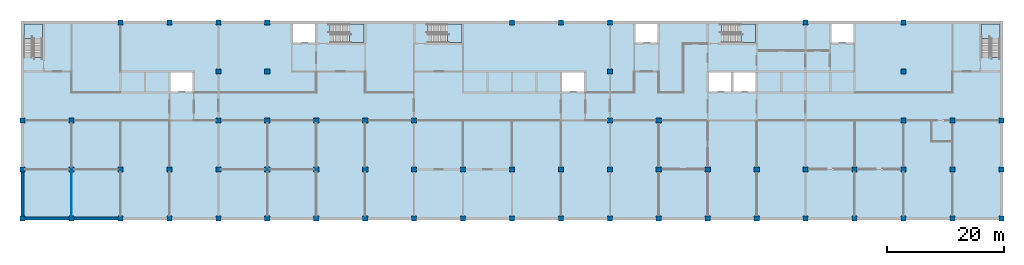
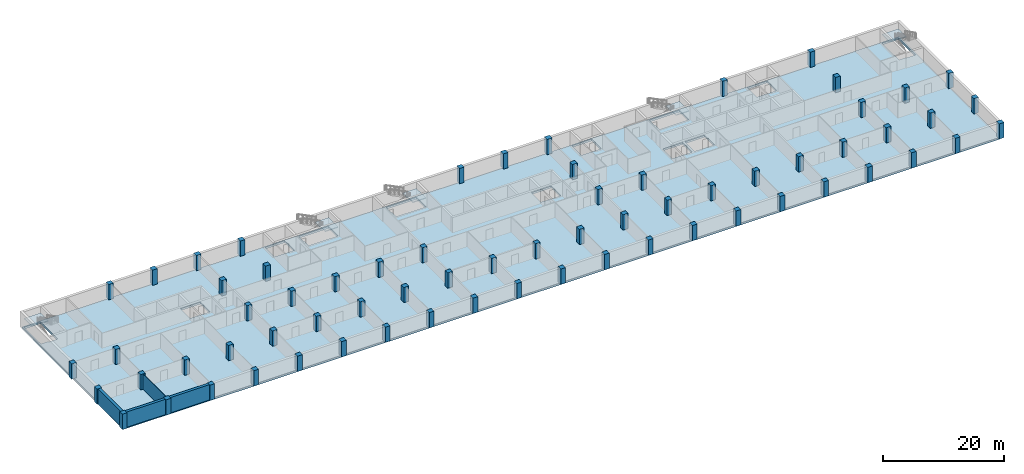
# One storey, part 1 of 12: 67 columns, 6 slabs, 4 walls, 5 elements without a shape of their own.
"""IFC4 building model written with IfcOpenShell, lengths in metres."""

import ifcopenshell
import ifcopenshell.guid

model = None  # the IFC model being written
_history = None  # IfcOwnerHistory: only IFC2X3 demands one
_inside = {}  # id of a spatial element -> (the spatial element, [elements in it])
_under = {}  # id of a project, library or spatial element -> (it, [spatial elements below it])
_declared = {}  # id of a project -> (the project, [libraries it declares])
_typed = {}  # id of a type object -> (the type object, [elements of that type])
_made_of = {}  # id of a material, layer set ... -> (it, [elements and type objects made of it])


def new_model(schema):
    """Start an empty IFC model of exactly this schema.

    Asked for "IFC4X3", IfcOpenShell would pick the latest addendum, in which some entities
    have other attributes; the version numbers below select the first issue.
    IFC2X3 requires an IfcOwnerHistory on every rooted entity: one is made here for all.
    """
    global model, _history
    if schema == "IFC4X3":
        model = ifcopenshell.file(schema_version=(4, 3, 0, 0))
    else:
        model = ifcopenshell.file(schema=schema)
    _inside.clear()
    _under.clear()
    _declared.clear()
    _typed.clear()
    _made_of.clear()
    _history = None
    if model.schema == "IFC2X3":
        org = make("IfcOrganization", Name="unknown")
        user = make(
            "IfcPersonAndOrganization",
            ThePerson=make("IfcPerson", FamilyName="unknown"),
            TheOrganization=org,
        )
        app = make(
            "IfcApplication",
            ApplicationDeveloper=org,
            Version="unknown",
            ApplicationFullName="unknown",
            ApplicationIdentifier="unknown",
        )
        _history = make(
            "IfcOwnerHistory",
            OwningUser=user,
            OwningApplication=app,
            ChangeAction="ADDED",
            CreationDate=0,
        )
    return model


def make(cls, **values):
    """One entity of the class cls with the attributes given. An attribute that is None is left unset."""
    return model.create_entity(
        cls, **{name: value for name, value in values.items() if value is not None}
    )


def rooted(cls, **values):
    """An entity with a GlobalId (a new one), such as an element, a storey or a relation."""
    return make(cls, GlobalId=ifcopenshell.guid.new(), OwnerHistory=_history, **values)


def si_unit(unit_type, name, prefix=None):
    """IfcSIUnit, for example si_unit("LENGTHUNIT", "METRE", prefix="MILLI")."""
    return make("IfcSIUnit", UnitType=unit_type, Prefix=prefix, Name=name)


def assignment(units):
    """IfcUnitAssignment: the units of a project."""
    return None if units is None else make("IfcUnitAssignment", Units=units)


def point(xyz):
    """IfcCartesianPoint."""
    return None if xyz is None else make("IfcCartesianPoint", Coordinates=xyz)


def direction(xyz):
    """IfcDirection."""
    return None if xyz is None else make("IfcDirection", DirectionRatios=xyz)


def frame(location, z_axis=None, x_axis=None):
    """IfcAxis2Placement3D, a coordinate frame: its origin and axes. An axis left out is left unset."""
    return make(
        "IfcAxis2Placement3D",
        Location=point(location),
        Axis=direction(z_axis),
        RefDirection=direction(x_axis),
    )


def frame_2d(location, x_axis=None):
    """IfcAxis2Placement2D, a coordinate frame in the plane: its origin and x axis."""
    return make(
        "IfcAxis2Placement2D", Location=point(location), RefDirection=direction(x_axis)
    )


def origin():
    """The frame at (0, 0, 0) with its axes left unset."""
    return frame((0.0, 0.0, 0.0))


def origin_2d():
    """The frame at (0, 0) in the plane with its x axis left unset."""
    return frame_2d((0.0, 0.0))


def place(relative_to, where):
    """IfcLocalPlacement: puts the frame where relative to a parent placement (None: the world)."""
    return make(
        "IfcLocalPlacement", PlacementRelTo=relative_to, RelativePlacement=where
    )


def context(
    kind, dimensions, precision=None, world=None, true_north=None, identifier=None
):
    """IfcGeometricRepresentationContext, for example the 3D "Model" context."""
    return make(
        "IfcGeometricRepresentationContext",
        ContextIdentifier=identifier,
        ContextType=kind,
        CoordinateSpaceDimension=dimensions,
        Precision=precision,
        WorldCoordinateSystem=world,
        TrueNorth=true_north,
    )


def subcontext(parent, identifier, kind, view, scale=None):
    """IfcGeometricRepresentationSubContext, for example "Body" below "Model"."""
    return make(
        "IfcGeometricRepresentationSubContext",
        ContextIdentifier=identifier,
        ContextType=kind,
        ParentContext=parent,
        TargetScale=scale,
        TargetView=view,
    )


def project(units=None, contexts=None):
    """IfcProject with its units and contexts."""
    return rooted(
        "IfcProject",
        Name="project",
        RepresentationContexts=contexts,
        UnitsInContext=assignment(units),
    )


def spatial(cls, under=None, at=None, **own):
    """A site, building, storey or space (cls), placed at a placement, below another one or the project."""
    s = rooted(cls, ObjectPlacement=at, **own)
    if under is not None:
        _under.setdefault(under.id(), (under, []))[1].append(s)
    return s


def polyline(points):
    """IfcPolyline through the points."""
    return make("IfcPolyline", Points=[point(p) for p in points])


def profile(cls, at=None, kind="AREA", **sizes):
    """A parametric profile (cls). Its sizes go by their IFC names, for example OverallWidth=200.0."""
    return make(cls, ProfileType=kind, Position=at, **sizes)


def rectangle(**sizes):
    """IfcRectangleProfileDef."""
    return profile("IfcRectangleProfileDef", **sizes)


def outline(outer, holes=None, kind="AREA"):
    """IfcArbitraryClosedProfileDef: a profile drawn as a closed curve; with holes, ...WithVoids."""
    if holes is None:
        return make("IfcArbitraryClosedProfileDef", ProfileType=kind, OuterCurve=outer)
    return make(
        "IfcArbitraryProfileDefWithVoids",
        ProfileType=kind,
        OuterCurve=outer,
        InnerCurves=holes,
    )


def extrude(swept, where, along, depth):
    """IfcExtrudedAreaSolid: the profile swept, set in the frame where, extruded along a direction by depth."""
    return make(
        "IfcExtrudedAreaSolid",
        SweptArea=swept,
        Position=where,
        ExtrudedDirection=direction(along),
        Depth=depth,
    )


def shape(context_of_items, identifier, shape_type, items):
    """IfcShapeRepresentation: the items that make up one representation, for example the "Body"."""
    return make(
        "IfcShapeRepresentation",
        ContextOfItems=context_of_items,
        RepresentationIdentifier=identifier,
        RepresentationType=shape_type,
        Items=items,
    )


def material(Name=None, Category=None):
    """IfcMaterial."""
    return make("IfcMaterial", Name=Name, Category=Category)


def layer(
    of_material, thickness, ventilated=None, Name=None, Category=None, Priority=None
):
    """IfcMaterialLayer: one layer of a wall or slab, of a material (None: an air gap)."""
    return make(
        "IfcMaterialLayer",
        Material=of_material,
        LayerThickness=thickness,
        IsVentilated=ventilated,
        Name=Name,
        Category=Category,
        Priority=Priority,
    )


def layer_set(layers, Name=None):
    """IfcMaterialLayerSet."""
    return make("IfcMaterialLayerSet", MaterialLayers=layers, LayerSetName=Name)


def material_profile(
    of_material, cross_section, Name=None, Category=None, Priority=None
):
    """IfcMaterialProfile: a cross section and its material."""
    return make(
        "IfcMaterialProfile",
        Name=Name,
        Material=of_material,
        Profile=cross_section,
        Priority=Priority,
        Category=Category,
    )


def profile_set(profiles, Name=None, composite=None):
    """IfcMaterialProfileSet."""
    return make(
        "IfcMaterialProfileSet",
        Name=Name,
        MaterialProfiles=profiles,
        CompositeProfile=composite,
    )


def made_of(thing, what):
    """Note that an element or type object is made of a material, layer set ...; save() writes the relation."""
    if what is not None:
        _made_of.setdefault(what.id(), (what, []))[1].append(thing)
    return thing


def type_object(cls, material=None, **own):
    """A type object (cls), such as IfcWallType, which elements share."""
    return made_of(rooted(cls, **own), material)


def element(
    cls,
    number,
    at=None,
    inside=None,
    cuts=None,
    type_object=None,
    material=None,
    context=None,
    identifier="Body",
    shape_type=None,
    held_by="IfcProductDefinitionShape",
    body=None,
    shapes=None,
    **own,
):
    """One element of the class cls, such as IfcWall. Its Tag is "e" and its number.

    at: its placement. inside: the storey or other place that contains it. cuts: it is an
    opening in that element (IfcRelVoidsElement). A single representation is given by context,
    identifier, shape_type and body (its items); several are given by shapes. held_by: the class
    of the entity that holds the representations. save() writes the other relations.
    """
    e = rooted(cls, Tag="e%d" % number, ObjectPlacement=at, **own)
    if body is not None:
        shapes = [shape(context, identifier, shape_type, body)]
    if shapes is not None:
        e.Representation = make(held_by, Representations=shapes)
    if inside is not None:
        _inside.setdefault(inside.id(), (inside, []))[1].append(e)
    if cuts is not None:
        rooted(
            "IfcRelVoidsElement", RelatingBuildingElement=cuts, RelatedOpeningElement=e
        )
    if type_object is not None:
        _typed.setdefault(type_object.id(), (type_object, []))[1].append(e)
    return made_of(e, material)


def aggregate(whole, parts):
    """IfcRelAggregates: a whole, such as a stair, and the parts it consists of."""
    return rooted("IfcRelAggregates", RelatingObject=whole, RelatedObjects=parts)


def save(model, path):
    """Write the relations noted so far, then the file.

    IfcRelAggregates (storeys below a building ...), IfcRelContainedInSpatialStructure (elements
    in a storey), IfcRelDefinesByType, IfcRelAssociatesMaterial and IfcRelDeclares: one each for
    every whole, place, type object, material and project.
    """
    for whole, parts in _under.values():
        aggregate(whole, parts)
    for where, things in _inside.values():
        rooted(
            "IfcRelContainedInSpatialStructure",
            RelatedElements=things,
            RelatingStructure=where,
        )
    for kind, things in _typed.values():
        rooted("IfcRelDefinesByType", RelatedObjects=things, RelatingType=kind)
    for what, things in _made_of.values():
        rooted("IfcRelAssociatesMaterial", RelatedObjects=things, RelatingMaterial=what)
    for by, libraries in _declared.values():
        rooted("IfcRelDeclares", RelatingContext=by, RelatedDefinitions=libraries)
    model.write(path)


model = new_model("IFC4")

# Units and contexts
model_context = context("Model", 3, precision=1e-05, world=origin(), true_north=direction((0.0, 1.0)))
body_context = subcontext(model_context, "Body", "Model", "MODEL_VIEW")
ifc_project = project(units=[si_unit("LENGTHUNIT", "METRE"), si_unit("AREAUNIT", "SQUARE_METRE"), si_unit("VOLUMEUNIT", "CUBIC_METRE"), si_unit("PLANEANGLEUNIT", "RADIAN"), si_unit("MASSUNIT", "GRAM", prefix="KILO")], contexts=[model_context])

# Site, building, storey
site_placement = place(None, origin())
site = spatial("IfcSite", under=ifc_project, at=site_placement, CompositionType="ELEMENT")
building_placement = place(site_placement, origin())
building = spatial("IfcBuilding", under=site, at=building_placement, Name="Yavir Park General Hospital", CompositionType="ELEMENT")
storey_placement = place(building_placement, frame((0.0, 0.0, -7.800048828125)))
storey = spatial("IfcBuildingStorey", under=building, at=storey_placement, Name="B2", CompositionType="ELEMENT", Elevation=-7.800048828125)

# Columns
ifc_material_1 = material(Name="Concrete C40/50", Category="concrete")
ifc_material_profile = material_profile(ifc_material_1, rectangle(XDim=0.89990234375, YDim=0.89990234375, at=origin_2d()), Name="RC900x900")
ifc_profile_set = profile_set([ifc_material_profile], Name="Concrete C40/50")
column_type = type_object("IfcColumnType", Name="RC COLUMN 900x900", PredefinedType="COLUMN", material=ifc_profile_set)
for number, where, z_axis, x_axis, name in (
    (1, (0.0, 0.0, 0.0), (0.0, 0.0, 1.0), (1.0, 0.0, 0.0), "C:B2:1A"),
    (2, (8.39990234375, 0.0, 0.0), (0.0, 0.0, 1.0), (1.0, 0.0, 0.0), "C:B2:2A"),
    (3, (16.800048828125, 0.0, 0.0), (0.0, 0.0, 1.0), (1.0, 0.0, 0.0), "C:B2:3A"),
    (4, (25.199951171875, 0.0, 0.0), (0.0, 0.0, 1.0), (1.0, 0.0, 0.0), "C:B2:4A"),
    (5, (33.60009765625, 0.0, 0.0), (0.0, 0.0, 1.0), (1.0, 0.0, 0.0), "C:B2:5A"),
    (6, (42.0, 0.0, 0.0), (0.0, 0.0, 1.0), (1.0, 0.0, 0.0), "C:B2:6A"),
    (7, (50.39990234375, 0.0, 0.0), (0.0, 0.0, 1.0), (1.0, 0.0, 0.0), "C:B2:7A"),
    (8, (58.800048828125, 0.0, 0.0), (0.0, 0.0, 1.0), (1.0, 0.0, 0.0), "C:B2:8A"),
    (9, (67.199951171875, 0.0, 0.0), (0.0, 0.0, 1.0), (1.0, 0.0, 0.0), "C:B2:9A"),
    (10, (75.60009765625, 0.0, 0.0), (0.0, 0.0, 1.0), (1.0, 0.0, 0.0), "C:B2:10A"),
    (11, (84.0, 0.0, 0.0), (0.0, 0.0, 1.0), (1.0, 0.0, 0.0), "C:B2:11A"),
    (12, (92.39990234375, 0.0, 0.0), (0.0, 0.0, 1.0), (1.0, 0.0, 0.0), "C:B2:12A"),
    (13, (100.800048828125, 0.0, 0.0), (0.0, 0.0, 1.0), (1.0, 0.0, 0.0), "C:B2:13A"),
    (14, (109.199951171875, 0.0, 0.0), (0.0, 0.0, 1.0), (1.0, 0.0, 0.0), "C:B2:14A"),
    (15, (117.60009765625, 0.0, 0.0), (0.0, 0.0, 1.0), (1.0, 0.0, 0.0), "C:B2:15A"),
    (16, (126.0, 0.0, 0.0), (0.0, 0.0, 1.0), (1.0, 0.0, 0.0), "C:B2:16A"),
    (17, (134.39990234375, 0.0, 0.0), (0.0, 0.0, 1.0), (1.0, 0.0, 0.0), "C:B2:17A"),
    (18, (142.800048828125, 0.0, 0.0), (0.0, 0.0, 1.0), (1.0, 0.0, 0.0), "C:B2:18A"),
    (19, (151.199951171875, 0.0, 0.0), (0.0, 0.0, 1.0), (1.0, 0.0, 0.0), "C:B2:19A"),
    (20, (159.60009765625, 0.0, 0.0), (0.0, 0.0, 1.0), (1.0, 0.0, 0.0), "C:B2:20A"),
    (21, (168.0, 0.0, 0.0), (0.0, 0.0, 1.0), (1.0, 0.0, 0.0), "C:B2:21A"),
    (22, (0.0, 8.39990234375, 0.0), (0.0, 0.0, 1.0), (1.0, 0.0, 0.0), "C:B2:1B"),
    (23, (8.39990234375, 8.39990234375, 0.0), (0.0, 0.0, 1.0), (1.0, 0.0, 0.0), "C:B2:2B"),
    (24, (16.800048828125, 8.39990234375, 0.0), (0.0, 0.0, 1.0), (1.0, 0.0, 0.0), "C:B2:3B"),
    (25, (25.199951171875, 8.39990234375, 0.0), (0.0, 0.0, 1.0), (1.0, 0.0, 0.0), "C:B2:4B"),
    (26, (33.60009765625, 8.39990234375, 0.0), (0.0, 0.0, 1.0), (1.0, 0.0, 0.0), "C:B2:5B"),
    (27, (42.0, 8.39990234375, 0.0), (0.0, 0.0, 1.0), (1.0, 0.0, 0.0), "C:B2:6B"),
    (28, (50.39990234375, 8.39990234375, 0.0), (0.0, 0.0, 1.0), (1.0, 0.0, 0.0), "C:B2:7B"),
    (29, (58.800048828125, 8.39990234375, 0.0), (0.0, 0.0, 1.0), (1.0, 0.0, 0.0), "C:B2:8B"),
    (30, (67.199951171875, 8.39990234375, 0.0), (0.0, 0.0, 1.0), (1.0, 0.0, 0.0), "C:B2:9B"),
    (31, (75.60009765625, 8.39990234375, 0.0), (0.0, 0.0, 1.0), (1.0, 0.0, 0.0), "C:B2:10B"),
    (32, (84.0, 8.39990234375, 0.0), (0.0, 0.0, 1.0), (1.0, 0.0, 0.0), "C:B2:11B"),
    (33, (92.39990234375, 8.39990234375, 0.0), (0.0, 0.0, 1.0), (1.0, 0.0, 0.0), "C:B2:12B"),
    (34, (100.800048828125, 8.39990234375, 0.0), (0.0, 0.0, 1.0), (1.0, 0.0, 0.0), "C:B2:13B"),
    (35, (109.199951171875, 8.39990234375, 0.0), (0.0, 0.0, 1.0), (1.0, 0.0, 0.0), "C:B2:14B"),
    (36, (117.60009765625, 8.39990234375, 0.0), (0.0, 0.0, 1.0), (1.0, 0.0, 0.0), "C:B2:15B"),
    (37, (126.0, 8.39990234375, 0.0), (0.0, 0.0, 1.0), (1.0, 0.0, 0.0), "C:B2:16B"),
    (38, (134.39990234375, 8.39990234375, 0.0), (0.0, 0.0, 1.0), (1.0, 0.0, 0.0), "C:B2:17B"),
    (39, (142.800048828125, 8.39990234375, 0.0), (0.0, 0.0, 1.0), (1.0, 0.0, 0.0), "C:B2:18B"),
    (40, (151.199951171875, 8.39990234375, 0.0), (0.0, 0.0, 1.0), (1.0, 0.0, 0.0), "C:B2:19B"),
    (41, (159.60009765625, 8.39990234375, 0.0), (0.0, 0.0, 1.0), (1.0, 0.0, 0.0), "C:B2:20B"),
    (42, (168.0, 8.39990234375, 0.0), (0.0, 0.0, 1.0), (1.0, 0.0, 0.0), "C:B2:21B"),
    (43, (0.0, 16.800048828125, 0.0), (0.0, 0.0, 1.0), (1.0, 0.0, 0.0), "C:B2:1C"),
    (44, (8.39990234375, 16.800048828125, 0.0), (0.0, 0.0, 1.0), (1.0, 0.0, 0.0), "C:B2:2C"),
    (45, (33.60009765625, 16.800048828125, 0.0), (0.0, 0.0, 1.0), (1.0, 0.0, 0.0), "C:B2:5C"),
    (46, (42.0, 16.800048828125, 0.0), (0.0, 0.0, 1.0), (1.0, 0.0, 0.0), "C:B2:6C"),
    (47, (50.39990234375, 16.800048828125, 0.0), (0.0, 0.0, 1.0), (1.0, 0.0, 0.0), "C:B2:7C"),
    (48, (58.800048828125, 16.800048828125, 0.0), (0.0, 0.0, 1.0), (1.0, 0.0, 0.0), "C:B2:8C"),
    (49, (67.199951171875, 16.800048828125, 0.0), (0.0, 0.0, 1.0), (1.0, 0.0, 0.0), "C:B2:9C"),
    (50, (100.800048828125, 16.800048828125, 0.0), (0.0, 0.0, 1.0), (1.0, 0.0, 0.0), "C:B2:13C"),
    (51, (109.199951171875, 16.800048828125, 0.0), (0.0, 0.0, 1.0), (1.0, 0.0, 0.0), "C:B2:14C"),
    (52, (151.199951171875, 16.800048828125, 0.0), (0.0, 0.0, 1.0), (1.0, 0.0, 0.0), "C:B2:19C"),
    (53, (159.60009765625, 16.800048828125, 0.0), (0.0, 0.0, 1.0), (1.0, 0.0, 0.0), "C:B2:20C"),
    (54, (168.0, 16.800048828125, 0.0), (0.0, 0.0, 1.0), (1.0, 0.0, 0.0), "C:B2:21C"),
    (55, (33.60009765625, 25.199951171875, 0.0), (0.0, 0.0, 1.0), (1.0, 0.0, 0.0), "C:B2:5D"),
    (56, (42.0, 25.199951171875, 0.0), (0.0, 0.0, 1.0), (1.0, 0.0, 0.0), "C:B2:6D"),
    (57, (100.800048828125, 25.199951171875, 0.0), (0.0, 0.0, 1.0), (1.0, 0.0, 0.0), "C:B2:13D"),
    (58, (151.199951171875, 25.199951171875, 0.0), (0.0, 0.0, 1.0), (1.0, 0.0, 0.0), "C:B2:19D"),
    (59, (16.800048828125, 33.60009765625, 0.0), (0.0, 0.0, 1.0), (1.0, 0.0, 0.0), "C:B2:3E"),
    (60, (25.199951171875, 33.60009765625, 0.0), (0.0, 0.0, 1.0), (1.0, 0.0, 0.0), "C:B2:4E"),
    (61, (33.60009765625, 33.60009765625, 0.0), (0.0, 0.0, 1.0), (1.0, 0.0, 0.0), "C:B2:5E"),
    (62, (42.0, 33.60009765625, 0.0), (0.0, 0.0, 1.0), (1.0, 0.0, 0.0), "C:B2:6E"),
    (63, (84.0, 33.60009765625, 0.0), (0.0, 0.0, 1.0), (1.0, 0.0, 0.0), "C:B2:11E"),
    (64, (92.39990234375, 33.60009765625, 0.0), (0.0, 0.0, 1.0), (1.0, 0.0, 0.0), "C:B2:12E"),
    (65, (100.800048828125, 33.60009765625, 0.0), (0.0, 0.0, 1.0), (1.0, 0.0, 0.0), "C:B2:13E"),
    (66, (134.39990234375, 33.60009765625, 0.0), (0.0, 0.0, 1.0), (1.0, 0.0, 0.0), "C:B2:17E"),
    (67, (151.199951171875, 33.60009765625, 0.0), (0.0, 0.0, 1.0), (1.0, 0.0, 0.0), "C:B2:19E"),
):
    element("IfcColumn", number, at=place(storey_placement, frame(where, z_axis=z_axis, x_axis=x_axis)), inside=storey, type_object=column_type, Name=name, PredefinedType="COLUMN", context=body_context, shape_type="SweptSolid", body=[
        extrude(rectangle(XDim=0.89990234375, YDim=0.89990234375, at=origin_2d()), origin(), (0.0, 0.0, 1.0), 3.10009765625),
    ])

# Stair, slab
ifc_material_2 = material(Name="Concrete C30/37", Category="concrete")
stair_type = type_object("IfcStairType", Name="Patient escape stair, 24 risers of 150 mm, 1400 mm flights", PredefinedType="HALF_TURN_STAIR", material=ifc_material_2)
stair_1_placement = place(storey_placement, origin())
stair_1 = element("IfcStair", 68, at=stair_1_placement, inside=storey, type_object=stair_type, Name="Stair BS1, B2 to B1", PredefinedType="HALF_TURN_STAIR")
ifc_material_3 = material(Name="Concrete C30/37", Category="concrete")
ifc_layer_1 = layer(ifc_material_3, 0.159912109375)
ifc_layer_set_1 = layer_set([ifc_layer_1], Name="Concrete C30/37")
slab_type_1 = type_object("IfcSlabType", Name="Patient escape stair half landing, reinforced concrete 160 mm", PredefinedType="LANDING", material=ifc_layer_set_1)
slab_1_placement = place(storey_placement, frame((0.0, 0.0, 1.64013671875)))
slab_1 = element("IfcSlab", 69, at=slab_1_placement, type_object=slab_type_1, Name="BS1 landing 1", PredefinedType="LANDING", context=body_context, shape_type="SweptSolid", body=[
    extrude(outline(polyline([(0.25, 30.8984375), (0.25, 33.35009765625), (3.39990234375, 33.35009765625), (3.39990234375, 30.75), (1.949951171875, 30.75), (1.949951171875, 30.8984375), (0.25, 30.8984375)])), origin(), (0.0, 0.0, 1.0), 0.159912109375),
])
aggregate(stair_1, [slab_1])

stair_2_placement = place(storey_placement, origin())
stair_2 = element("IfcStair", 70, at=stair_2_placement, inside=storey, type_object=stair_type, Name="Stair BS2, B2 to B1", PredefinedType="HALF_TURN_STAIR")
slab_2_placement = place(storey_placement, frame((0.0, 0.0, 1.64013671875)))
slab_2 = element("IfcSlab", 71, at=slab_2_placement, type_object=slab_type_1, Name="BS2 landing 1", PredefinedType="LANDING", context=body_context, shape_type="SweptSolid", body=[
    extrude(outline(polyline([(56.098388671875, 30.199951171875), (58.60009765625, 30.199951171875), (58.60009765625, 33.35009765625), (55.949951171875, 33.35009765625), (55.949951171875, 31.89990234375), (56.098388671875, 31.89990234375), (56.098388671875, 30.199951171875)])), origin(), (0.0, 0.0, 1.0), 0.159912109375),
])
aggregate(stair_2, [slab_2])

stair_3_placement = place(storey_placement, origin())
stair_3 = element("IfcStair", 72, at=stair_3_placement, inside=storey, type_object=stair_type, Name="Stair BS3, B2 to B1", PredefinedType="HALF_TURN_STAIR")
slab_3_placement = place(storey_placement, frame((0.0, 0.0, 1.64013671875)))
slab_3 = element("IfcSlab", 73, at=slab_3_placement, type_object=slab_type_1, Name="BS3 landing 1", PredefinedType="LANDING", context=body_context, shape_type="SweptSolid", body=[
    extrude(outline(polyline([(72.8984375, 30.199951171875), (75.39990234375, 30.199951171875), (75.39990234375, 33.35009765625), (72.75, 33.35009765625), (72.75, 31.89990234375), (72.8984375, 31.89990234375), (72.8984375, 30.199951171875)])), origin(), (0.0, 0.0, 1.0), 0.159912109375),
])
aggregate(stair_3, [slab_3])

stair_4_placement = place(storey_placement, origin())
stair_4 = element("IfcStair", 74, at=stair_4_placement, inside=storey, type_object=stair_type, Name="Stair BS4, B2 to B1", PredefinedType="HALF_TURN_STAIR")
slab_4_placement = place(storey_placement, frame((0.0, 0.0, 1.64013671875)))
slab_4 = element("IfcSlab", 75, at=slab_4_placement, type_object=slab_type_1, Name="BS4 landing 1", PredefinedType="LANDING", context=body_context, shape_type="SweptSolid", body=[
    extrude(outline(polyline([(123.298583984375, 30.199951171875), (125.800048828125, 30.199951171875), (125.800048828125, 33.35009765625), (123.14990234375, 33.35009765625), (123.14990234375, 31.89990234375), (123.298583984375, 31.89990234375), (123.298583984375, 30.199951171875)])), origin(), (0.0, 0.0, 1.0), 0.159912109375),
])
aggregate(stair_4, [slab_4])

stair_5_placement = place(storey_placement, origin())
stair_5 = element("IfcStair", 76, at=stair_5_placement, inside=storey, type_object=stair_type, Name="Stair BS5, B2 to B1", PredefinedType="HALF_TURN_STAIR")
slab_5_placement = place(storey_placement, frame((0.0, 0.0, 1.64013671875)))
slab_5 = element("IfcSlab", 77, at=slab_5_placement, type_object=slab_type_1, Name="BS5 landing 1", PredefinedType="LANDING", context=body_context, shape_type="SweptSolid", body=[
    extrude(outline(polyline([(164.60009765625, 30.8984375), (164.60009765625, 33.35009765625), (167.75, 33.35009765625), (167.75, 30.75), (166.300048828125, 30.75), (166.300048828125, 30.8984375), (164.60009765625, 30.8984375)])), origin(), (0.0, 0.0, 1.0), 0.159912109375),
])
aggregate(stair_5, [slab_5])

# Slab
ifc_material_4 = material(Name="Concrete C35/45", Category="concrete")
ifc_layer_2 = layer(ifc_material_4, 0.39990234375)
ifc_layer_set_2 = layer_set([ifc_layer_2], Name="Concrete C35/45")
slab_type_2 = type_object("IfcSlabType", Name="RC SLAB FLOOR 400", PredefinedType="FLOOR", material=ifc_layer_set_2)
slab_6_placement = place(storey_placement, frame((0.0, 0.0, -0.400146484375)))
element("IfcSlab", 78, at=slab_6_placement, inside=storey, type_object=slab_type_2, Name="S:B2:0", PredefinedType="FLOOR", context=body_context, shape_type="SweptSolid", body=[
    extrude(outline(polyline([(168.0, 33.60009765625), (0.0, 33.60009765625), (0.0, 0.0), (168.0, 0.0), (168.0, 33.60009765625)]), holes=[polyline([(29.199951171875, 21.800048828125), (25.39990234375, 21.800048828125), (25.39990234375, 25.0), (29.199951171875, 25.0), (29.199951171875, 21.800048828125)]), polyline([(92.60009765625, 21.800048828125), (92.60009765625, 25.0), (96.39990234375, 25.0), (96.39990234375, 21.800048828125), (92.60009765625, 21.800048828125)]), polyline([(50.199951171875, 30.199951171875), (46.39990234375, 30.199951171875), (46.39990234375, 33.39990234375), (50.199951171875, 33.39990234375), (50.199951171875, 30.199951171875)]), polyline([(121.60009765625, 21.800048828125), (117.800048828125, 21.800048828125), (117.800048828125, 25.0), (121.60009765625, 25.0), (121.60009765625, 21.800048828125)]), polyline([(122.0, 21.800048828125), (122.0, 25.0), (125.800048828125, 25.0), (125.800048828125, 21.800048828125), (122.0, 21.800048828125)]), polyline([(109.0, 30.199951171875), (105.199951171875, 30.199951171875), (105.199951171875, 33.39990234375), (109.0, 33.39990234375), (109.0, 30.199951171875)]), polyline([(138.800048828125, 30.199951171875), (138.800048828125, 33.39990234375), (142.60009765625, 33.39990234375), (142.60009765625, 30.199951171875), (138.800048828125, 30.199951171875)]), polyline([(3.39990234375, 27.6015625), (1.64990234375, 27.6015625), (1.64990234375, 27.75146484375), (0.25, 27.75146484375), (0.25, 33.35009765625), (3.39990234375, 33.35009765625), (3.39990234375, 27.6015625)]), polyline([(58.60009765625, 30.199951171875), (52.951416015625, 30.199951171875), (52.951416015625, 31.60009765625), (52.801513671875, 31.60009765625), (52.801513671875, 33.35009765625), (58.60009765625, 33.35009765625), (58.60009765625, 30.199951171875)]), polyline([(69.75146484375, 31.60009765625), (69.6015625, 31.60009765625), (69.6015625, 33.35009765625), (75.39990234375, 33.35009765625), (75.39990234375, 30.199951171875), (69.75146484375, 30.199951171875), (69.75146484375, 31.60009765625)]), polyline([(120.00146484375, 33.35009765625), (125.800048828125, 33.35009765625), (125.800048828125, 30.199951171875), (120.151611328125, 30.199951171875), (120.151611328125, 31.60009765625), (120.00146484375, 31.60009765625), (120.00146484375, 33.35009765625)]), polyline([(166.0, 27.75146484375), (164.60009765625, 27.75146484375), (164.60009765625, 33.35009765625), (167.75, 33.35009765625), (167.75, 27.6015625), (166.0, 27.6015625), (166.0, 27.75146484375)])]), origin(), (0.0, 0.0, 1.0), 0.400146484375),
])

# Walls
ifc_material_5 = material(Name="Gypsum board partition on steel studs", Category="steel")
ifc_layer_3 = layer(ifc_material_5, 0.10009765625)
ifc_layer_set_3 = layer_set([ifc_layer_3], Name="Gypsum board partition on steel studs")
wall_type_1 = type_object("IfcWallType", Name="Gypsum board partition 100", PredefinedType="PARTITIONING", material=ifc_layer_set_3)
wall_placement = place(storey_placement, frame((8.39990234375, 0.449951171875, 0.0), z_axis=(0.0, 0.0, 1.0), x_axis=(0.0, 1.0, 0.0)))
element("IfcWall", 79, at=wall_placement, inside=storey, type_object=wall_type_1, Name="P10 B2-055", PredefinedType="PARTITIONING", context=body_context, shape_type="SweptSolid", body=[
    extrude(rectangle(XDim=7.5, YDim=0.10009765625, at=frame_2d((3.75, 0.0))), origin(), (0.0, 0.0, 1.0), 3.10009765625),
])
ifc_material_6 = material(Name="Concrete C35/45", Category="concrete")
ifc_layer_4 = layer(ifc_material_6, 0.5)
ifc_layer_set_4 = layer_set([ifc_layer_4], Name="Concrete C35/45")
wall_type_2 = type_object("IfcWallType", Name="RC WALL RETAINING 500", PredefinedType="SOLIDWALL", material=ifc_layer_set_4)
for number, where, z_axis, x_axis, name in (
    (80, (0.449951171875, 0.0, 0.0), (0.0, 0.0, 1.0), (1.0, 0.0, 0.0), "W:RET:B2:S0"),
    (81, (8.85009765625, 0.0, 0.0), (0.0, 0.0, 1.0), (1.0, 0.0, 0.0), "W:RET:B2:S1"),
    (82, (0.0, 0.449951171875, 0.0), (0.0, 0.0, 1.0), (0.0, 1.0, 0.0), "W:RET:B2:W30"),
):
    element("IfcWall", number, at=place(storey_placement, frame(where, z_axis=z_axis, x_axis=x_axis)), inside=storey, type_object=wall_type_2, Name=name, PredefinedType="SOLIDWALL", context=body_context, shape_type="SweptSolid", body=[
        extrude(rectangle(XDim=7.5, YDim=0.5, at=frame_2d((3.75, 0.0))), origin(), (0.0, 0.0, 1.0), 3.10009765625),
    ])

save(model, "model.ifc")
